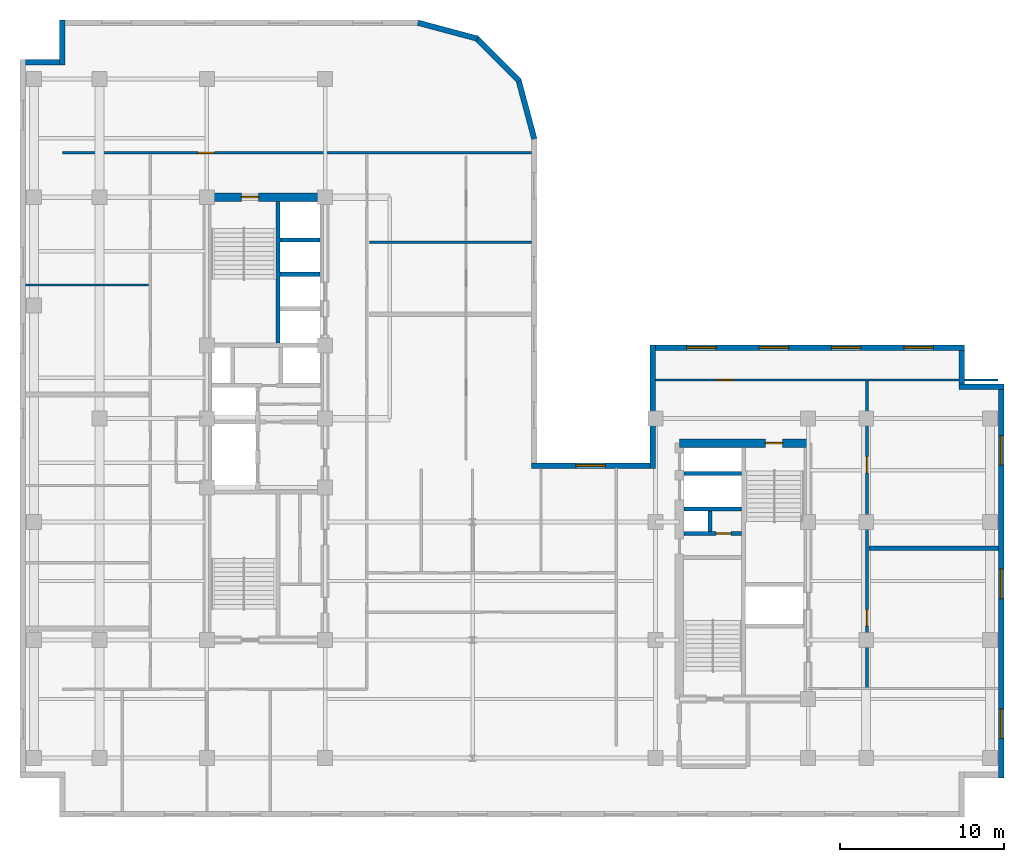
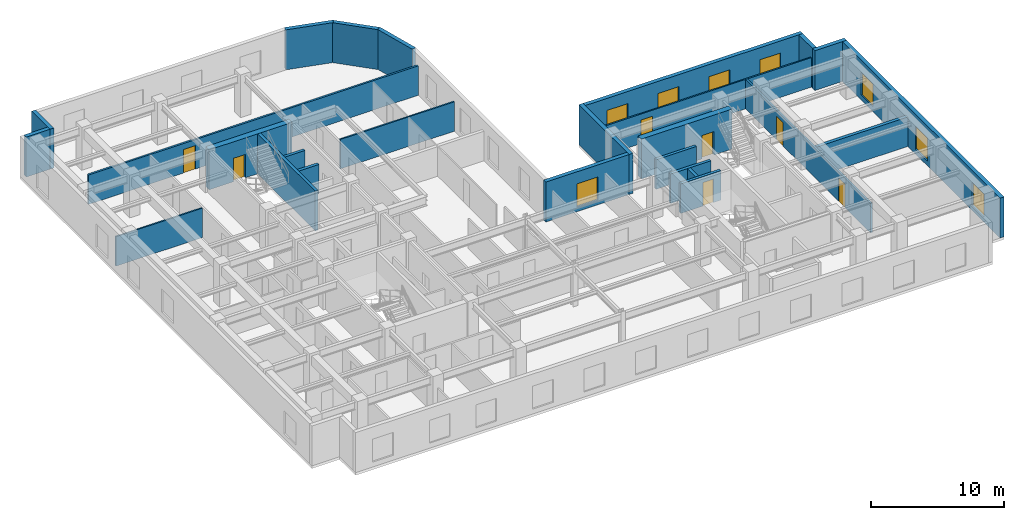
# One storey, part 7 of 11: 26 walls, 8 windows, 7 doors, 15 openings.
"""IFC4 building model written with IfcOpenShell, lengths in metres."""

from ifc_helpers import new_model, entity, si_unit, converted_unit, direction, frame, origin_with_axes, origin_2d_with_axis, place, context, subcontext, project, spatial, polyline, rectangle, outline, extrude, material, layer, layer_set, type_object, element, fill, save


model = new_model("IFC4")

# Units and contexts
model_context = context("Model", 3, precision=1e-05, world=origin_with_axes(), true_north=direction((0.0, 1.0)))
body_context = subcontext(model_context, "Body", "Model", "MODEL_VIEW")
ifc_project = project(units=[si_unit("LENGTHUNIT", "METRE"), si_unit("AREAUNIT", "SQUARE_METRE"), si_unit("VOLUMEUNIT", "CUBIC_METRE"), converted_unit("PLANEANGLEUNIT", "DEGREE", entity("IfcPlaneAngleMeasure", 0.017453292519943295), si_unit("PLANEANGLEUNIT", "RADIAN"), dimensions=[0, 0, 0, 0, 0, 0, 0]), si_unit("MASSUNIT", "GRAM", prefix="KILO"), si_unit("THERMODYNAMICTEMPERATUREUNIT", "KELVIN")], contexts=[model_context])

# Site, building, storey
site_placement = place(None, origin_with_axes())
site = spatial("IfcSite", under=ifc_project, at=site_placement, CompositionType="ELEMENT")
building_placement = place(site_placement, origin_with_axes())
building = spatial("IfcBuilding", under=site, at=building_placement, Name="Varnlund Millrace Tower", CompositionType="ELEMENT")
storey_placement = place(building_placement, frame((0.0, 0.0, 212.1), z_axis=(0.0, 0.0, 1.0), x_axis=(1.0, 0.0, 0.0)))
storey = spatial("IfcBuildingStorey", under=building, at=storey_placement, Name="L52", CompositionType="ELEMENT", Elevation=212.1)

# Wall, opening, door
ifc_material_1 = material(Name="Concrete C70/85", Category="concrete")
ifc_layer_1 = layer(ifc_material_1, 0.5, Name="Concrete C70/85")
ifc_layer_set_1 = layer_set([ifc_layer_1], Name="Concrete C70/85")
wall_type_1 = type_object("IfcWallType", Name="Type-CoreWall-Shear-500-C70", PredefinedType="SHEAR", material=ifc_layer_set_1)
wall_1_placement = place(storey_placement, frame((11.4, 37.8, 0.0), z_axis=(0.0, 0.0, 1.0), x_axis=(1.0, 0.0, 0.0)))
wall_1 = element("IfcWall", 1, at=wall_1_placement, inside=storey, type_object=wall_type_1, Name="Type-CoreWall-Shear-500-C70", PredefinedType="SHEAR", context=body_context, shape_type="SweptSolid", body=[
    extrude(outline(polyline([(0.0, -0.25), (7.2, -0.25), (7.2, 0.25), (0.0, 0.25), (0.0, -0.25)])), origin_with_axes(), (0.0, 0.0, 1.0), 3.66),
])
opening_1_placement = place(wall_1_placement, frame((2.625, 0.0, 0.0), z_axis=(0.0, 0.0, 1.0), x_axis=(1.0, 0.0, 0.0)))
opening_1 = element("IfcOpeningElement", 2, at=opening_1_placement, cuts=wall_1, Name="Opening L52:DR-STA2", PredefinedType="OPENING", context=body_context, shape_type="SweptSolid", body=[
    extrude(rectangle(XDim=1.05, YDim=0.52, at=origin_2d_with_axis()), origin_with_axes(), (0.0, 0.0, 1.0), 2.15),
])
ifc_material_2 = material(Name="Fire-rated hollow steel door", Category="steel")
door_type_1 = type_object("IfcDoorType", Name="Type-FireDoor-Stair-1050X2150", OperationType="NOTDEFINED", PredefinedType="DOOR", material=ifc_material_2)
door_1_placement = place(wall_1_placement, frame((2.625, 0.0, 0.0), z_axis=(0.0, 0.0, 1.0), x_axis=(1.0, 0.0, 0.0)))
door_1 = element("IfcDoor", 3, at=door_1_placement, inside=storey, type_object=door_type_1, Name="Type-FireDoor-Stair-1050X2150", OperationType="SINGLE_SWING_RIGHT", OverallHeight=2.15, OverallWidth=1.05, PredefinedType="DOOR", context=body_context, shape_type="SweptSolid", body=[
    extrude(rectangle(XDim=1.05, YDim=0.09, at=origin_2d_with_axis()), origin_with_axes(), (0.0, 0.0, 1.0), 2.15),
])
fill(opening_1, door_1)

wall_2_placement = place(storey_placement, frame((40.2, 22.8, 0.0), z_axis=(0.0, 0.0, 1.0), x_axis=(1.0, 0.0, 0.0)))
wall_2 = element("IfcWall", 4, at=wall_2_placement, inside=storey, type_object=wall_type_1, Name="Type-CoreWall-Shear-500-C70", PredefinedType="SHEAR", context=body_context, shape_type="SweptSolid", body=[
    extrude(outline(polyline([(0.0, -0.25), (7.85, -0.25), (7.85, 0.25), (0.0, 0.25), (0.0, -0.25)])), origin_with_axes(), (0.0, 0.0, 1.0), 3.66),
])
opening_2_placement = place(wall_2_placement, frame((5.775, 0.0, 0.0), z_axis=(0.0, 0.0, 1.0), x_axis=(1.0, 0.0, 0.0)))
opening_2 = element("IfcOpeningElement", 5, at=opening_2_placement, cuts=wall_2, Name="Opening L52:DR-STB2", PredefinedType="OPENING", context=body_context, shape_type="SweptSolid", body=[
    extrude(rectangle(XDim=1.05, YDim=0.52, at=origin_2d_with_axis()), origin_with_axes(), (0.0, 0.0, 1.0), 2.15),
])
door_2_placement = place(wall_2_placement, frame((5.775, 0.0, 0.0), z_axis=(0.0, 0.0, 1.0), x_axis=(1.0, 0.0, 0.0)))
door_2 = element("IfcDoor", 6, at=door_2_placement, inside=storey, type_object=door_type_1, Name="Type-FireDoor-Stair-1050X2150", OperationType="SINGLE_SWING_RIGHT", OverallHeight=2.15, OverallWidth=1.05, PredefinedType="DOOR", context=body_context, shape_type="SweptSolid", body=[
    extrude(rectangle(XDim=1.05, YDim=0.09, at=origin_2d_with_axis()), origin_with_axes(), (0.0, 0.0, 1.0), 2.15),
])
fill(opening_2, door_2)

# Wall
ifc_material_3 = material(Name="Precast concrete C50/60", Category="concrete")
ifc_layer_2 = layer(ifc_material_3, 0.34, Name="Precast concrete C50/60")
ifc_layer_set_2 = layer_set([ifc_layer_2], Name="Precast concrete C50/60")
wall_type_2 = type_object("IfcWallType", Name="Type-ExtWall-Precast-Upper-340", PredefinedType="SOLIDWALL", material=ifc_layer_set_2)
wall_3_placement = place(storey_placement, frame((38.57, 21.26, 0.0), z_axis=(0.0, 0.0, 1.0), x_axis=(0.0, 1.0, 0.0)))
element("IfcWall", 7, at=wall_3_placement, inside=storey, type_object=wall_type_2, Name="Type-ExtWall-Precast-Upper-340", PredefinedType="SOLIDWALL", context=body_context, shape_type="SweptSolid", body=[
    extrude(outline(polyline([(0.0, -0.17), (7.54, -0.17), (7.54, 0.17), (0.0, 0.17), (0.0, -0.17)])), origin_with_axes(), (0.0, 0.0, 1.0), 3.66),
])

# Wall, openings, windows
wall_4_placement = place(storey_placement, frame((38.74, 28.63, 0.0), z_axis=(0.0, 0.0, 1.0), x_axis=(1.0, 0.0, 0.0)))
wall_4 = element("IfcWall", 8, at=wall_4_placement, inside=storey, type_object=wall_type_2, Name="Type-ExtWall-Precast-Upper-340", PredefinedType="SOLIDWALL", context=body_context, shape_type="SweptSolid", body=[
    extrude(outline(polyline([(0.0, -0.17), (18.86, -0.17), (18.86, 0.17), (0.0, 0.17), (0.0, -0.17)])), origin_with_axes(), (0.0, 0.0, 1.0), 3.66),
])
opening_3_placement = place(wall_4_placement, frame((2.808, 0.0, 0.45), z_axis=(0.0, 0.0, 1.0), x_axis=(1.0, 0.0, 0.0)))
opening_3 = element("IfcOpeningElement", 9, at=opening_3_placement, cuts=wall_4, Name="Opening L52:WN-01", PredefinedType="OPENING", context=body_context, shape_type="SweptSolid", body=[
    extrude(rectangle(XDim=1.8, YDim=0.36, at=origin_2d_with_axis()), origin_with_axes(), (0.0, 0.0, 1.0), 2.1),
])
opening_4_placement = place(wall_4_placement, frame((7.222, 0.0, 0.45), z_axis=(0.0, 0.0, 1.0), x_axis=(1.0, 0.0, 0.0)))
opening_4 = element("IfcOpeningElement", 10, at=opening_4_placement, cuts=wall_4, Name="Opening L52:WN-02", PredefinedType="OPENING", context=body_context, shape_type="SweptSolid", body=[
    extrude(rectangle(XDim=1.8, YDim=0.36, at=origin_2d_with_axis()), origin_with_axes(), (0.0, 0.0, 1.0), 2.1),
])
opening_5_placement = place(wall_4_placement, frame((11.637, 0.0, 0.45), z_axis=(0.0, 0.0, 1.0), x_axis=(1.0, 0.0, 0.0)))
opening_5 = element("IfcOpeningElement", 11, at=opening_5_placement, cuts=wall_4, Name="Opening L52:WN-03", PredefinedType="OPENING", context=body_context, shape_type="SweptSolid", body=[
    extrude(rectangle(XDim=1.8, YDim=0.36, at=origin_2d_with_axis()), origin_with_axes(), (0.0, 0.0, 1.0), 2.1),
])
opening_6_placement = place(wall_4_placement, frame((16.053, 0.0, 0.45), z_axis=(0.0, 0.0, 1.0), x_axis=(1.0, 0.0, 0.0)))
opening_6 = element("IfcOpeningElement", 12, at=opening_6_placement, cuts=wall_4, Name="Opening L52:WN-04", PredefinedType="OPENING", context=body_context, shape_type="SweptSolid", body=[
    extrude(rectangle(XDim=1.8, YDim=0.36, at=origin_2d_with_axis()), origin_with_axes(), (0.0, 0.0, 1.0), 2.1),
])
ifc_material_4 = material(Name="Argon low-e triple glazing in thermally broken bronze frame", Category="glass")
window_type = type_object("IfcWindowType", Name="Type-Window-Punched-1800X2100", PartitioningType="SINGLE_PANEL", PredefinedType="WINDOW", material=ifc_material_4)
window_1_placement = place(wall_4_placement, frame((2.808, 0.0, 0.45), z_axis=(0.0, 0.0, 1.0), x_axis=(1.0, 0.0, 0.0)))
window_1 = element("IfcWindow", 13, at=window_1_placement, inside=storey, type_object=window_type, Name="Type-Window-Punched-1800X2100", OverallHeight=2.1, OverallWidth=1.8, PredefinedType="WINDOW", context=body_context, shape_type="SweptSolid", body=[
    extrude(rectangle(XDim=1.8, YDim=0.09, at=origin_2d_with_axis()), origin_with_axes(), (0.0, 0.0, 1.0), 2.1),
])
fill(opening_3, window_1)
window_2_placement = place(wall_4_placement, frame((7.222, 0.0, 0.45), z_axis=(0.0, 0.0, 1.0), x_axis=(1.0, 0.0, 0.0)))
window_2 = element("IfcWindow", 14, at=window_2_placement, inside=storey, type_object=window_type, Name="Type-Window-Punched-1800X2100", OverallHeight=2.1, OverallWidth=1.8, PredefinedType="WINDOW", context=body_context, shape_type="SweptSolid", body=[
    extrude(rectangle(XDim=1.8, YDim=0.09, at=origin_2d_with_axis()), origin_with_axes(), (0.0, 0.0, 1.0), 2.1),
])
fill(opening_4, window_2)
window_3_placement = place(wall_4_placement, frame((11.637, 0.0, 0.45), z_axis=(0.0, 0.0, 1.0), x_axis=(1.0, 0.0, 0.0)))
window_3 = element("IfcWindow", 15, at=window_3_placement, inside=storey, type_object=window_type, Name="Type-Window-Punched-1800X2100", OverallHeight=2.1, OverallWidth=1.8, PredefinedType="WINDOW", context=body_context, shape_type="SweptSolid", body=[
    extrude(rectangle(XDim=1.8, YDim=0.09, at=origin_2d_with_axis()), origin_with_axes(), (0.0, 0.0, 1.0), 2.1),
])
fill(opening_5, window_3)
window_4_placement = place(wall_4_placement, frame((16.053, 0.0, 0.45), z_axis=(0.0, 0.0, 1.0), x_axis=(1.0, 0.0, 0.0)))
window_4 = element("IfcWindow", 16, at=window_4_placement, inside=storey, type_object=window_type, Name="Type-Window-Punched-1800X2100", OverallHeight=2.1, OverallWidth=1.8, PredefinedType="WINDOW", context=body_context, shape_type="SweptSolid", body=[
    extrude(rectangle(XDim=1.8, YDim=0.09, at=origin_2d_with_axis()), origin_with_axes(), (0.0, 0.0, 1.0), 2.1),
])
fill(opening_6, window_4)

# Walls
wall_5_placement = place(storey_placement, frame((57.43, 28.46, 0.0), z_axis=(0.0, 0.0, 1.0), x_axis=(0.0, -1.0, 0.0)))
element("IfcWall", 17, at=wall_5_placement, inside=storey, type_object=wall_type_2, Name="Type-ExtWall-Precast-Upper-340", PredefinedType="SOLIDWALL", context=body_context, shape_type="SweptSolid", body=[
    extrude(outline(polyline([(0.0, -0.17), (2.06, -0.17), (2.06, 0.17), (0.0, 0.17), (0.0, -0.17)])), origin_with_axes(), (0.0, 0.0, 1.0), 3.66),
])
wall_6_placement = place(storey_placement, frame((57.26, 26.23, 0.0), z_axis=(0.0, 0.0, 1.0), x_axis=(1.0, 0.0, 0.0)))
element("IfcWall", 18, at=wall_6_placement, inside=storey, type_object=wall_type_2, Name="Type-ExtWall-Precast-Upper-340", PredefinedType="SOLIDWALL", context=body_context, shape_type="SweptSolid", body=[
    extrude(outline(polyline([(0.0, -0.17), (2.74, -0.17), (2.74, 0.17), (0.0, 0.17), (0.0, -0.17)])), origin_with_axes(), (0.0, 0.0, 1.0), 3.66),
])

# Wall, openings, windows
wall_7_placement = place(storey_placement, frame((59.83, 26.06, 0.0), z_axis=(0.0, 0.0, 1.0), x_axis=(0.0, -1.0, 0.0)))
wall_7 = element("IfcWall", 19, at=wall_7_placement, inside=storey, type_object=wall_type_2, Name="Type-ExtWall-Precast-Upper-340", PredefinedType="SOLIDWALL", context=body_context, shape_type="SweptSolid", body=[
    extrude(outline(polyline([(0.0, -0.17), (23.66, -0.17), (23.66, 0.17), (0.0, 0.17), (0.0, -0.17)])), origin_with_axes(), (0.0, 0.0, 1.0), 3.66),
])
opening_7_placement = place(wall_7_placement, frame((3.696, 0.0, 0.45), z_axis=(0.0, 0.0, 1.0), x_axis=(1.0, 0.0, 0.0)))
opening_7 = element("IfcOpeningElement", 20, at=opening_7_placement, cuts=wall_7, Name="Opening L52:WN-05", PredefinedType="OPENING", context=body_context, shape_type="SweptSolid", body=[
    extrude(rectangle(XDim=1.8, YDim=0.36, at=origin_2d_with_axis()), origin_with_axes(), (0.0, 0.0, 1.0), 2.1),
])
opening_8_placement = place(wall_7_placement, frame((11.83, 0.0, 0.45), z_axis=(0.0, 0.0, 1.0), x_axis=(1.0, 0.0, 0.0)))
opening_8 = element("IfcOpeningElement", 21, at=opening_8_placement, cuts=wall_7, Name="Opening L52:WN-06", PredefinedType="OPENING", context=body_context, shape_type="SweptSolid", body=[
    extrude(rectangle(XDim=1.8, YDim=0.36, at=origin_2d_with_axis()), origin_with_axes(), (0.0, 0.0, 1.0), 2.1),
])
opening_9_placement = place(wall_7_placement, frame((20.364, 0.0, 0.45), z_axis=(0.0, 0.0, 1.0), x_axis=(1.0, 0.0, 0.0)))
opening_9 = element("IfcOpeningElement", 22, at=opening_9_placement, cuts=wall_7, Name="Opening L52:WN-07", PredefinedType="OPENING", context=body_context, shape_type="SweptSolid", body=[
    extrude(rectangle(XDim=1.8, YDim=0.36, at=origin_2d_with_axis()), origin_with_axes(), (0.0, 0.0, 1.0), 2.1),
])
window_5_placement = place(wall_7_placement, frame((3.696, 0.0, 0.45), z_axis=(0.0, 0.0, 1.0), x_axis=(1.0, 0.0, 0.0)))
window_5 = element("IfcWindow", 23, at=window_5_placement, inside=storey, type_object=window_type, Name="Type-Window-Punched-1800X2100", OverallHeight=2.1, OverallWidth=1.8, PredefinedType="WINDOW", context=body_context, shape_type="SweptSolid", body=[
    extrude(rectangle(XDim=1.8, YDim=0.09, at=origin_2d_with_axis()), origin_with_axes(), (0.0, 0.0, 1.0), 2.1),
])
fill(opening_7, window_5)
window_6_placement = place(wall_7_placement, frame((11.83, 0.0, 0.45), z_axis=(0.0, 0.0, 1.0), x_axis=(1.0, 0.0, 0.0)))
window_6 = element("IfcWindow", 24, at=window_6_placement, inside=storey, type_object=window_type, Name="Type-Window-Punched-1800X2100", OverallHeight=2.1, OverallWidth=1.8, PredefinedType="WINDOW", context=body_context, shape_type="SweptSolid", body=[
    extrude(rectangle(XDim=1.8, YDim=0.09, at=origin_2d_with_axis()), origin_with_axes(), (0.0, 0.0, 1.0), 2.1),
])
fill(opening_8, window_6)
window_7_placement = place(wall_7_placement, frame((20.364, 0.0, 0.45), z_axis=(0.0, 0.0, 1.0), x_axis=(1.0, 0.0, 0.0)))
window_7 = element("IfcWindow", 25, at=window_7_placement, inside=storey, type_object=window_type, Name="Type-Window-Punched-1800X2100", OverallHeight=2.1, OverallWidth=1.8, PredefinedType="WINDOW", context=body_context, shape_type="SweptSolid", body=[
    extrude(rectangle(XDim=1.8, YDim=0.09, at=origin_2d_with_axis()), origin_with_axes(), (0.0, 0.0, 1.0), 2.1),
])
fill(opening_9, window_7)

# Walls
wall_8_placement = place(storey_placement, frame((0.34, 46.03, 0.0), z_axis=(0.0, 0.0, 1.0), x_axis=(1.0, 0.0, 0.0)))
element("IfcWall", 26, at=wall_8_placement, inside=storey, type_object=wall_type_2, Name="Type-ExtWall-Precast-Upper-340", PredefinedType="SOLIDWALL", context=body_context, shape_type="SweptSolid", body=[
    extrude(outline(polyline([(0.0, -0.17), (2.06, -0.17), (2.06, 0.17), (0.0, 0.17), (0.0, -0.17)])), origin_with_axes(), (0.0, 0.0, 1.0), 3.66),
])
wall_9_placement = place(storey_placement, frame((2.57, 45.86, 0.0), z_axis=(0.0, 0.0, 1.0), x_axis=(0.0, 1.0, 0.0)))
element("IfcWall", 27, at=wall_9_placement, inside=storey, type_object=wall_type_2, Name="Type-ExtWall-Precast-Upper-340", PredefinedType="SOLIDWALL", context=body_context, shape_type="SweptSolid", body=[
    extrude(outline(polyline([(0.0, -0.17), (2.74, -0.17), (2.74, 0.17), (0.0, 0.17), (0.0, -0.17)])), origin_with_axes(), (0.0, 0.0, 1.0), 3.66),
])
wall_10_placement = place(storey_placement, frame((24.262, 48.441, 0.0), z_axis=(0.0, 0.0, 1.0), x_axis=(0.965906, -0.258892, 0.0)))
element("IfcWall", 28, at=wall_10_placement, inside=storey, type_object=wall_type_2, Name="Type-ExtWall-Precast-Upper-340", PredefinedType="SOLIDWALL", context=body_context, shape_type="SweptSolid", body=[
    extrude(outline(polyline([(0.0, -0.17), (3.74674, -0.17), (3.74674, 0.17), (0.0, 0.17), (0.0, -0.17)])), origin_with_axes(), (0.0, 0.0, 1.0), 3.66),
])
wall_11_placement = place(storey_placement, frame((27.791, 47.529, 0.0), z_axis=(0.0, 0.0, 1.0), x_axis=(0.707107, -0.707107, 0.0)))
element("IfcWall", 29, at=wall_11_placement, inside=storey, type_object=wall_type_2, Name="Type-ExtWall-Precast-Upper-340", PredefinedType="SOLIDWALL", context=body_context, shape_type="SweptSolid", body=[
    extrude(outline(polyline([(0.0, -0.17), (3.746252, -0.17), (3.746252, 0.17), (0.0, 0.17), (0.0, -0.17)])), origin_with_axes(), (0.0, 0.0, 1.0), 3.66),
])
wall_12_placement = place(storey_placement, frame((30.391, 44.975, 0.0), z_axis=(0.0, 0.0, 1.0), x_axis=(0.258892, -0.965906, 0.0)))
element("IfcWall", 30, at=wall_12_placement, inside=storey, type_object=wall_type_2, Name="Type-ExtWall-Precast-Upper-340", PredefinedType="SOLIDWALL", context=body_context, shape_type="SweptSolid", body=[
    extrude(outline(polyline([(0.0, -0.17), (3.74674, -0.17), (3.74674, 0.17), (0.0, 0.17), (0.0, -0.17)])), origin_with_axes(), (0.0, 0.0, 1.0), 3.66),
])

# Wall, opening, window
wall_13_placement = place(storey_placement, frame((31.185, 21.43, 0.0), z_axis=(0.0, 0.0, 1.0), x_axis=(1.0, 0.0, 0.0)))
wall_13 = element("IfcWall", 31, at=wall_13_placement, inside=storey, type_object=wall_type_2, Name="Type-ExtWall-Precast-Upper-340", PredefinedType="SOLIDWALL", context=body_context, shape_type="SweptSolid", body=[
    extrude(outline(polyline([(0.0, -0.17), (7.215, -0.17), (7.215, 0.17), (0.0, 0.17), (0.0, -0.17)])), origin_with_axes(), (0.0, 0.0, 1.0), 3.66),
])
opening_10_placement = place(wall_13_placement, frame((3.608, 0.0, 0.45), z_axis=(0.0, 0.0, 1.0), x_axis=(1.0, 0.0, 0.0)))
opening_10 = element("IfcOpeningElement", 32, at=opening_10_placement, cuts=wall_13, Name="Opening L52:WN-33", PredefinedType="OPENING", context=body_context, shape_type="SweptSolid", body=[
    extrude(rectangle(XDim=1.8, YDim=0.36, at=origin_2d_with_axis()), origin_with_axes(), (0.0, 0.0, 1.0), 2.1),
])
window_8_placement = place(wall_13_placement, frame((3.608, 0.0, 0.45), z_axis=(0.0, 0.0, 1.0), x_axis=(1.0, 0.0, 0.0)))
window_8 = element("IfcWindow", 33, at=window_8_placement, inside=storey, type_object=window_type, Name="Type-Window-Punched-1800X2100", OverallHeight=2.1, OverallWidth=1.8, PredefinedType="WINDOW", context=body_context, shape_type="SweptSolid", body=[
    extrude(rectangle(XDim=1.8, YDim=0.09, at=origin_2d_with_axis()), origin_with_axes(), (0.0, 0.0, 1.0), 2.1),
])
fill(opening_10, window_8)

# Wall
ifc_material_5 = material(Name="Double-stud STC-60 conference acoustic partition", Category="gypsum")
ifc_layer_3 = layer(ifc_material_5, 0.28, Name="Double-stud STC-60 conference acoustic partition")
ifc_layer_set_3 = layer_set([ifc_layer_3], Name="Double-stud STC-60 conference acoustic partition")
wall_type_3 = type_object("IfcWallType", Name="Type-Partition-Acoustic-280", PredefinedType="PARTITIONING", material=ifc_layer_set_3)
wall_14_placement = place(storey_placement, frame((51.77, 16.387, 0.0), z_axis=(0.0, 0.0, 1.0), x_axis=(1.0, 0.0, 0.0)))
element("IfcWall", 34, at=wall_14_placement, inside=storey, type_object=wall_type_3, Name="Type-Partition-Acoustic-280", PredefinedType="PARTITIONING", context=body_context, shape_type="SweptSolid", body=[
    extrude(outline(polyline([(0.0, -0.14), (7.895, -0.14), (7.895, 0.14), (0.0, 0.14), (0.0, -0.14)])), origin_with_axes(), (0.0, 0.0, 1.0), 2.7),
])

# Wall, opening, door
ifc_material_6 = material(Name="Fire-rated gypsum board on cold-formed steel framing", Category="steel")
ifc_layer_4 = layer(ifc_material_6, 0.16, Name="Fire-rated gypsum board on cold-formed steel framing")
ifc_layer_set_4 = layer_set([ifc_layer_4], Name="Fire-rated gypsum board on cold-formed steel framing")
wall_type_4 = type_object("IfcWallType", Name="Type-Partition-Corridor-160", PredefinedType="PARTITIONING", material=ifc_layer_set_4)
wall_15_placement = place(storey_placement, frame((2.6, 40.5, 0.0), z_axis=(0.0, 0.0, 1.0), x_axis=(1.0, 0.0, 0.0)))
wall_15 = element("IfcWall", 35, at=wall_15_placement, inside=storey, type_object=wall_type_4, Name="Type-Partition-Corridor-160", PredefinedType="PARTITIONING", context=body_context, shape_type="SweptSolid", body=[
    extrude(outline(polyline([(0.0, -0.08), (28.59, -0.08), (28.59, 0.08), (0.0, 0.08), (0.0, -0.08)])), origin_with_axes(), (0.0, 0.0, 1.0), 2.7),
])
opening_11_placement = place(wall_15_placement, frame((8.755, 0.0, 0.0), z_axis=(0.0, 0.0, 1.0), x_axis=(1.0, 0.0, 0.0)))
opening_11 = element("IfcOpeningElement", 36, at=opening_11_placement, cuts=wall_15, Name="Opening L52:DR-WAN-01", PredefinedType="OPENING", context=body_context, shape_type="SweptSolid", body=[
    extrude(rectangle(XDim=1.0, YDim=0.18, at=origin_2d_with_axis()), origin_with_axes(), (0.0, 0.0, 1.0), 2.15),
])
ifc_material_7 = material(Name="Solid-core white oak and bronze frame door")
door_type_2 = type_object("IfcDoorType", Name="Type-IntDoor-Office-1000X2150", OperationType="NOTDEFINED", PredefinedType="DOOR", material=ifc_material_7)
door_3_placement = place(wall_15_placement, frame((8.755, 0.0, 0.0), z_axis=(0.0, 0.0, 1.0), x_axis=(1.0, 0.0, 0.0)))
door_3 = element("IfcDoor", 37, at=door_3_placement, inside=storey, type_object=door_type_2, Name="Type-IntDoor-Office-1000X2150", OperationType="SINGLE_SWING_LEFT", OverallHeight=2.15, OverallWidth=1.0, PredefinedType="DOOR", context=body_context, shape_type="SweptSolid", body=[
    extrude(rectangle(XDim=1.0, YDim=0.09, at=origin_2d_with_axis()), origin_with_axes(), (0.0, 0.0, 1.0), 2.15),
])
fill(opening_11, door_3)

# Wall, openings, doors
wall_16_placement = place(storey_placement, frame((51.65, 7.85, 0.0), z_axis=(0.0, 0.0, 1.0), x_axis=(0.0, 1.0, 0.0)))
wall_16 = element("IfcWall", 38, at=wall_16_placement, inside=storey, type_object=wall_type_4, Name="Type-Partition-Corridor-160", PredefinedType="PARTITIONING", context=body_context, shape_type="SweptSolid", body=[
    extrude(outline(polyline([(0.0, -0.08), (18.8, -0.08), (18.8, 0.08), (0.0, 0.08), (0.0, -0.08)])), origin_with_axes(), (0.0, 0.0, 1.0), 2.7),
])
opening_12_placement = place(wall_16_placement, frame((4.2985, 0.0, 0.0), z_axis=(0.0, 0.0, 1.0), x_axis=(1.0, 0.0, 0.0)))
opening_12 = element("IfcOpeningElement", 39, at=opening_12_placement, cuts=wall_16, Name="Opening L52:DR-WB-01", PredefinedType="OPENING", context=body_context, shape_type="SweptSolid", body=[
    extrude(rectangle(XDim=1.0, YDim=0.18, at=origin_2d_with_axis()), origin_with_axes(), (0.0, 0.0, 1.0), 2.15),
])
opening_13_placement = place(wall_16_placement, frame((13.6385, 0.0, 0.0), z_axis=(0.0, 0.0, 1.0), x_axis=(1.0, 0.0, 0.0)))
opening_13 = element("IfcOpeningElement", 40, at=opening_13_placement, cuts=wall_16, Name="Opening L52:DR-WB-02", PredefinedType="OPENING", context=body_context, shape_type="SweptSolid", body=[
    extrude(rectangle(XDim=1.0, YDim=0.18, at=origin_2d_with_axis()), origin_with_axes(), (0.0, 0.0, 1.0), 2.15),
])
door_4_placement = place(wall_16_placement, frame((4.2985, 0.0, 0.0), z_axis=(0.0, 0.0, 1.0), x_axis=(1.0, 0.0, 0.0)))
door_4 = element("IfcDoor", 41, at=door_4_placement, inside=storey, type_object=door_type_2, Name="Type-IntDoor-Office-1000X2150", OperationType="SINGLE_SWING_LEFT", OverallHeight=2.15, OverallWidth=1.0, PredefinedType="DOOR", context=body_context, shape_type="SweptSolid", body=[
    extrude(rectangle(XDim=1.0, YDim=0.09, at=origin_2d_with_axis()), origin_with_axes(), (0.0, 0.0, 1.0), 2.15),
])
fill(opening_12, door_4)
door_5_placement = place(wall_16_placement, frame((13.6385, 0.0, 0.0), z_axis=(0.0, 0.0, 1.0), x_axis=(1.0, 0.0, 0.0)))
door_5 = element("IfcDoor", 42, at=door_5_placement, inside=storey, type_object=door_type_2, Name="Type-IntDoor-Office-1000X2150", OperationType="SINGLE_SWING_RIGHT", OverallHeight=2.15, OverallWidth=1.0, PredefinedType="DOOR", context=body_context, shape_type="SweptSolid", body=[
    extrude(rectangle(XDim=1.0, YDim=0.09, at=origin_2d_with_axis()), origin_with_axes(), (0.0, 0.0, 1.0), 2.15),
])
fill(opening_13, door_5)

# Walls
ifc_material_8 = material(Name="Gypsum board tenant partition", Category="gypsum")
ifc_layer_5 = layer(ifc_material_8, 0.125, Name="Gypsum board tenant partition")
ifc_layer_set_5 = layer_set([ifc_layer_5], Name="Gypsum board tenant partition")
wall_type_5 = type_object("IfcWallType", Name="Type-Partition-Tenant-125", PredefinedType="PARTITIONING", material=ifc_layer_set_5)
wall_17_placement = place(storey_placement, frame((0.335, 32.453, 0.0), z_axis=(0.0, 0.0, 1.0), x_axis=(1.0, 0.0, 0.0)))
element("IfcWall", 43, at=wall_17_placement, inside=storey, type_object=wall_type_5, Name="Type-Partition-Tenant-125", PredefinedType="PARTITIONING", context=body_context, shape_type="SweptSolid", body=[
    extrude(outline(polyline([(0.0, -0.0625), (7.495, -0.0625), (7.495, 0.0625), (0.0, 0.0625), (0.0, -0.0625)])), origin_with_axes(), (0.0, 0.0, 1.0), 2.7),
])
wall_18_placement = place(storey_placement, frame((21.3, 35.052, 0.0), z_axis=(0.0, 0.0, 1.0), x_axis=(1.0, 0.0, 0.0)))
element("IfcWall", 44, at=wall_18_placement, inside=storey, type_object=wall_type_5, Name="Type-Partition-Tenant-125", PredefinedType="PARTITIONING", context=body_context, shape_type="SweptSolid", body=[
    extrude(outline(polyline([(0.0, -0.0625), (9.89, -0.0625), (9.89, 0.0625), (0.0, 0.0625), (0.0, -0.0625)])), origin_with_axes(), (0.0, 0.0, 1.0), 2.7),
])

# Wall, opening, door
wall_19_placement = place(storey_placement, frame((38.735, 26.65, 0.0), z_axis=(0.0, 0.0, 1.0), x_axis=(1.0, 0.0, 0.0)))
wall_19 = element("IfcWall", 45, at=wall_19_placement, inside=storey, type_object=wall_type_5, Name="Type-Partition-Tenant-125", PredefinedType="PARTITIONING", context=body_context, shape_type="SweptSolid", body=[
    extrude(outline(polyline([(0.0, -0.0625), (20.905, -0.0625), (20.905, 0.0625), (0.0, 0.0625), (0.0, -0.0625)])), origin_with_axes(), (0.0, 0.0, 1.0), 2.7),
])
opening_14_placement = place(wall_19_placement, frame((4.265, 0.0, 0.0), z_axis=(0.0, 0.0, 1.0), x_axis=(1.0, 0.0, 0.0)))
opening_14 = element("IfcOpeningElement", 46, at=opening_14_placement, cuts=wall_19, Name="Opening L52:DR-WBN-01", PredefinedType="OPENING", context=body_context, shape_type="SweptSolid", body=[
    extrude(rectangle(XDim=1.0, YDim=0.145, at=origin_2d_with_axis()), origin_with_axes(), (0.0, 0.0, 1.0), 2.15),
])
door_6_placement = place(wall_19_placement, frame((4.265, 0.0, 0.0), z_axis=(0.0, 0.0, 1.0), x_axis=(1.0, 0.0, 0.0)))
door_6 = element("IfcDoor", 47, at=door_6_placement, inside=storey, type_object=door_type_2, Name="Type-IntDoor-Office-1000X2150", OperationType="SINGLE_SWING_RIGHT", OverallHeight=2.15, OverallWidth=1.0, PredefinedType="DOOR", context=body_context, shape_type="SweptSolid", body=[
    extrude(rectangle(XDim=1.0, YDim=0.075, at=origin_2d_with_axis()), origin_with_axes(), (0.0, 0.0, 1.0), 2.15),
])
fill(opening_14, door_6)

ifc_material_9 = material(Name="Concrete C60/75", Category="concrete")
ifc_layer_6 = layer(ifc_material_9, 0.25, Name="Concrete C60/75")
ifc_layer_set_6 = layer_set([ifc_layer_6], Name="Concrete C60/75")
wall_type_6 = type_object("IfcWallType", Name="Type-ShaftWall-Fire-250", PredefinedType="SOLIDWALL", material=ifc_layer_set_6)
wall_20_placement = place(storey_placement, frame((40.5, 17.3, 0.0), z_axis=(0.0, 0.0, 1.0), x_axis=(1.0, 0.0, 0.0)))
wall_20 = element("IfcWall", 48, at=wall_20_placement, inside=storey, type_object=wall_type_6, Name="Type-ShaftWall-Fire-250", PredefinedType="SOLIDWALL", context=body_context, shape_type="SweptSolid", body=[
    extrude(outline(polyline([(0.0, -0.125), (3.5, -0.125), (3.5, 0.125), (0.0, 0.125), (0.0, -0.125)])), origin_with_axes(), (0.0, 0.0, 1.0), 2.7),
])
opening_15_placement = place(wall_20_placement, frame((2.4, 0.0, 0.0), z_axis=(0.0, 0.0, 1.0), x_axis=(1.0, 0.0, 0.0)))
opening_15 = element("IfcOpeningElement", 49, at=opening_15_placement, cuts=wall_20, Name="Opening L52:DR-CB-ELC", PredefinedType="OPENING", context=body_context, shape_type="SweptSolid", body=[
    extrude(rectangle(XDim=0.9, YDim=0.27, at=origin_2d_with_axis()), origin_with_axes(), (0.0, 0.0, 1.0), 2.15),
])
ifc_material_10 = material(Name="Fire-rated hollow steel service closet door", Category="steel")
door_type_3 = type_object("IfcDoorType", Name="Type-FireDoor-Closet-900X2150", OperationType="NOTDEFINED", PredefinedType="DOOR", material=ifc_material_10)
door_7_placement = place(wall_20_placement, frame((2.4, 0.0, 0.0), z_axis=(0.0, 0.0, 1.0), x_axis=(1.0, 0.0, 0.0)))
door_7 = element("IfcDoor", 50, at=door_7_placement, inside=storey, type_object=door_type_3, Name="Type-FireDoor-Closet-900X2150", OperationType="SINGLE_SWING_LEFT", OverallHeight=2.15, OverallWidth=0.9, PredefinedType="DOOR", context=body_context, shape_type="SweptSolid", body=[
    extrude(rectangle(XDim=0.9, YDim=0.09, at=origin_2d_with_axis()), origin_with_axes(), (0.0, 0.0, 1.0), 2.15),
])
fill(opening_15, door_7)

# Walls
wall_21_placement = place(storey_placement, frame((40.5, 18.8, 0.0), z_axis=(0.0, 0.0, 1.0), x_axis=(1.0, 0.0, 0.0)))
element("IfcWall", 51, at=wall_21_placement, inside=storey, type_object=wall_type_6, Name="Type-ShaftWall-Fire-250", PredefinedType="SOLIDWALL", context=body_context, shape_type="SweptSolid", body=[
    extrude(outline(polyline([(0.0, -0.125), (3.5, -0.125), (3.5, 0.125), (0.0, 0.125), (0.0, -0.125)])), origin_with_axes(), (0.0, 0.0, 1.0), 2.7),
])
wall_22_placement = place(storey_placement, frame((42.075, 17.43, 0.0), z_axis=(0.0, 0.0, 1.0), x_axis=(0.0, 1.0, 0.0)))
element("IfcWall", 52, at=wall_22_placement, inside=storey, type_object=wall_type_6, Name="Type-ShaftWall-Fire-250", PredefinedType="SOLIDWALL", context=body_context, shape_type="SweptSolid", body=[
    extrude(outline(polyline([(0.0, -0.125), (1.24, -0.125), (1.24, 0.125), (0.0, 0.125), (0.0, -0.125)])), origin_with_axes(), (0.0, 0.0, 1.0), 2.7),
])
for number, where, z_axis, x_axis, name in (
    (53, (15.84, 33.1, 0.0), (0.0, 0.0, 1.0), (1.0, 0.0, 0.0), "Type-ShaftWall-Fire-250"),
    (54, (15.84, 35.2, 0.0), (0.0, 0.0, 1.0), (1.0, 0.0, 0.0), "Type-ShaftWall-Fire-250"),
):
    element("IfcWall", number, at=place(storey_placement, frame(where, z_axis=z_axis, x_axis=x_axis)), inside=storey, type_object=wall_type_6, Name=name, PredefinedType="SOLIDWALL", context=body_context, shape_type="SweptSolid", body=[
        extrude(outline(polyline([(0.0, -0.125), (2.46, -0.125), (2.46, 0.125), (0.0, 0.125), (0.0, -0.125)])), origin_with_axes(), (0.0, 0.0, 1.0), 2.7),
    ])
wall_23_placement = place(storey_placement, frame((40.5, 20.96, 0.0), z_axis=(0.0, 0.0, 1.0), x_axis=(1.0, 0.0, 0.0)))
element("IfcWall", 55, at=wall_23_placement, inside=storey, type_object=wall_type_6, Name="Type-ShaftWall-Fire-250", PredefinedType="SOLIDWALL", context=body_context, shape_type="SweptSolid", body=[
    extrude(outline(polyline([(0.0, -0.125), (3.5, -0.125), (3.5, 0.125), (0.0, 0.125), (0.0, -0.125)])), origin_with_axes(), (0.0, 0.0, 1.0), 2.7),
])
wall_type_7 = type_object("IfcWallType", Name="Type-StairWall-Shear-250", PredefinedType="SHEAR", material=ifc_layer_set_6)
wall_24_placement = place(storey_placement, frame((15.725, 28.9, 0.0), z_axis=(0.0, 0.0, 1.0), x_axis=(0.0, 1.0, 0.0)))
element("IfcWall", 56, at=wall_24_placement, inside=storey, type_object=wall_type_7, Name="Type-StairWall-Shear-250", PredefinedType="SHEAR", context=body_context, shape_type="SweptSolid", body=[
    extrude(outline(polyline([(0.0, -0.125), (8.65, -0.125), (8.65, 0.125), (0.0, 0.125), (0.0, -0.125)])), origin_with_axes(), (0.0, 0.0, 1.0), 3.66),
])

save(model, "model.ifc")
